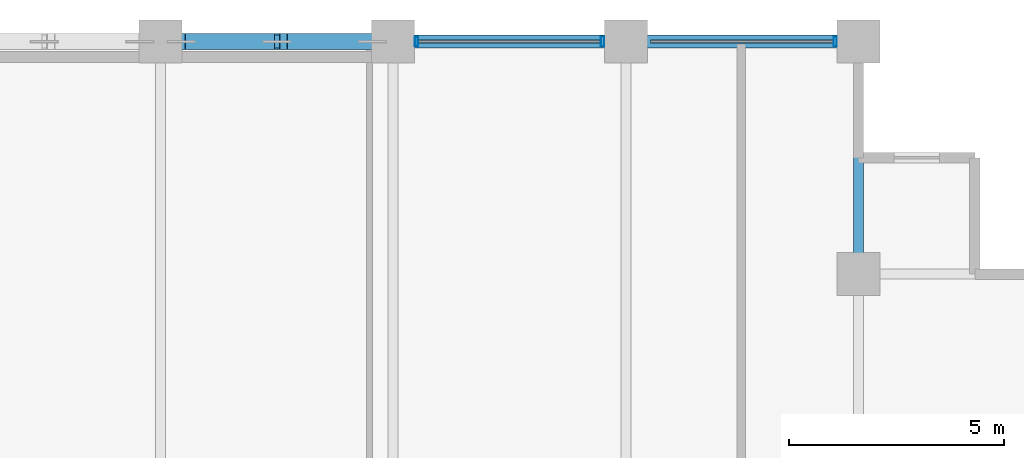
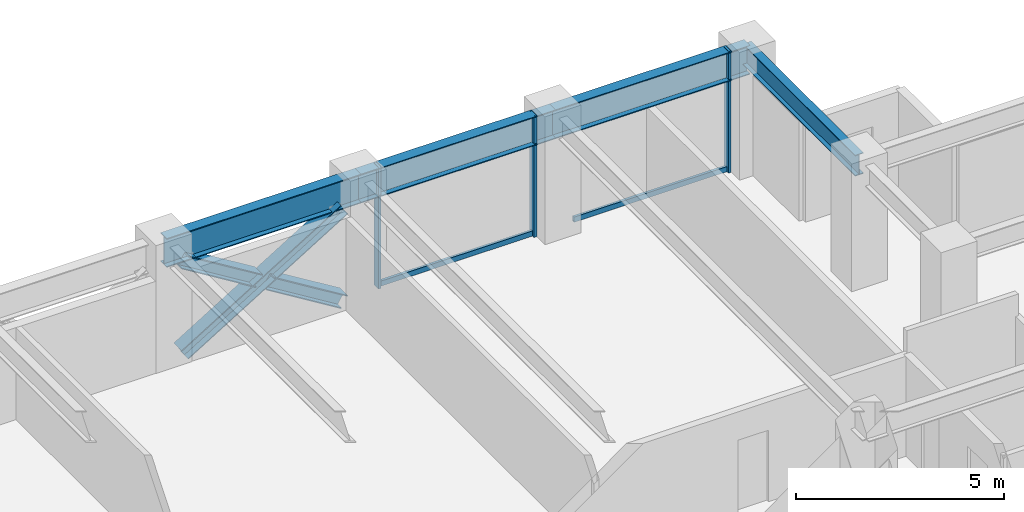
# One storey, part 16 of 23: 8 members, 4 beams, 1 element without a shape of its own.
"""IFC4 building model written with IfcOpenShell, lengths in metres."""

from ifc_helpers import new_model, si_unit, direction, frame, origin, origin_2d, place, context, subcontext, project, spatial, hollow_rectangle, i_section, extrude, material, layer, layer_set, material_profile, profile_set, type_object, element, aggregate, save


model = new_model("IFC4")

# Units and contexts
model_context = context("Model", 3, precision=1e-05, world=origin(), true_north=direction((0.0, 1.0)))
body_context = subcontext(model_context, "Body", "Model", "MODEL_VIEW")
ifc_project = project(units=[si_unit("LENGTHUNIT", "METRE"), si_unit("AREAUNIT", "SQUARE_METRE"), si_unit("VOLUMEUNIT", "CUBIC_METRE"), si_unit("PLANEANGLEUNIT", "RADIAN"), si_unit("MASSUNIT", "GRAM", prefix="KILO")], contexts=[model_context])

# Site, building, storey
site_placement = place(None, origin())
site = spatial("IfcSite", under=ifc_project, at=site_placement, CompositionType="ELEMENT")
building_placement = place(site_placement, origin())
building = spatial("IfcBuilding", under=site, at=building_placement, Name="Surkhivell Harbour Commons", CompositionType="ELEMENT")
storey_placement = place(building_placement, frame((0.0, 0.0, 135.75)))
storey = spatial("IfcBuildingStorey", under=building, at=storey_placement, Name="L35", CompositionType="ELEMENT", Elevation=135.75)

# Beams
ifc_material_1 = material(Name="Steel S355", Category="steel")
ifc_material_profile_1 = material_profile(ifc_material_1, i_section(OverallWidth=0.22998046875, OverallDepth=0.616943359375, WebThickness=0.01318359375, FlangeThickness=0.022216796875, at=origin_2d()), Name="UB610x229x140")
ifc_profile_set_1 = profile_set([ifc_material_profile_1], Name="Steel S355")
beam_type_1 = type_object("IfcBeamType", Name="BM-GRD-610B", PredefinedType="BEAM", material=ifc_profile_set_1)
beam_1_placement = place(storey_placement, frame((16.199951171875, 20.5, 3.261474609375), z_axis=(0.0, 1.0, 0.0), x_axis=(-1.0, 0.0, 0.0)))
element("IfcBeam", 1, at=beam_1_placement, inside=storey, type_object=beam_type_1, Name="L35 Floor Girder (16.2,20.5)", PredefinedType="BEAM", context=body_context, shape_type="SweptSolid", body=[
    extrude(i_section(OverallWidth=0.22998046875, OverallDepth=0.616943359375, WebThickness=0.01318359375, FlangeThickness=0.022216796875, at=origin_2d()), origin(), (0.0, 0.0, 1.0), 5.39990234375),
])
ifc_material_2 = material(Name="Steel S460", Category="steel")
ifc_material_profile_2 = material_profile(ifc_material_2, i_section(OverallWidth=0.2939453125, OverallDepth=0.85107421875, WebThickness=0.01611328125, FlangeThickness=0.02685546875, at=origin_2d()), Name="UB838x292x226")
ifc_profile_set_2 = profile_set([ifc_material_profile_2], Name="Steel S460")
beam_type_2 = type_object("IfcBeamType", Name="BM-SPN-838", PredefinedType="SPANDREL", material=ifc_profile_set_2)
beam_2_placement = place(storey_placement, frame((0.0, 25.89990234375, 3.14453125), z_axis=(1.0, 0.0, 0.0), x_axis=(0.0, 1.0, 0.0)))
element("IfcBeam", 2, at=beam_2_placement, inside=storey, type_object=beam_type_2, Name="L35 Tube Spandrel (-0.0,25.9)", PredefinedType="SPANDREL", context=body_context, shape_type="SweptSolid", body=[
    extrude(i_section(OverallWidth=0.2939453125, OverallDepth=0.85107421875, WebThickness=0.01611328125, FlangeThickness=0.02685546875, at=origin_2d()), origin(), (0.0, 0.0, 1.0), 5.39990234375),
])
beam_3_placement = place(storey_placement, frame((5.39990234375, 25.89990234375, 3.14453125), z_axis=(1.0, 0.0, 0.0), x_axis=(0.0, 1.0, 0.0)))
element("IfcBeam", 3, at=beam_3_placement, inside=storey, type_object=beam_type_2, Name="L35 Tube Spandrel (5.4,25.9)", PredefinedType="SPANDREL", context=body_context, shape_type="SweptSolid", body=[
    extrude(i_section(OverallWidth=0.2939453125, OverallDepth=0.85107421875, WebThickness=0.01611328125, FlangeThickness=0.02685546875, at=origin_2d()), origin(), (0.0, 0.0, 1.0), 5.400146484375),
])
beam_4_placement = place(storey_placement, frame((10.800048828125, 25.89990234375, 3.14453125), z_axis=(1.0, 0.0, 0.0), x_axis=(0.0, 1.0, 0.0)))
element("IfcBeam", 4, at=beam_4_placement, inside=storey, type_object=beam_type_2, Name="L35 Tube Spandrel (10.8,25.9)", PredefinedType="SPANDREL", context=body_context, shape_type="SweptSolid", body=[
    extrude(i_section(OverallWidth=0.2939453125, OverallDepth=0.85107421875, WebThickness=0.01611328125, FlangeThickness=0.02685546875, at=origin_2d()), origin(), (0.0, 0.0, 1.0), 5.39990234375),
])

# Curtain wall, members
ifc_material_3 = material(Name="Anodised pale-metal aluminium and insulated glazing", Category="aluminium")
ifc_layer = layer(ifc_material_3, 0.205078125)
ifc_layer_set = layer_set([ifc_layer], Name="Anodised pale-metal aluminium and insulated glazing")
curtain_wall_type = type_object("IfcCurtainWallType", Name="CW-SYS-Z2", PredefinedType="NOTDEFINED", material=ifc_layer_set)
curtain_wall_placement = place(storey_placement, origin())
curtain_wall = element("IfcCurtainWall", 5, at=curtain_wall_placement, inside=storey, type_object=curtain_wall_type, Name="L35 Curtain Wall CW-L35-E07S1", PredefinedType="NOTDEFINED")
ifc_material_4 = material(Name="Anodised pale-metal aluminium alloy 6063-T6", Category="aluminium")
ifc_material_profile_3 = material_profile(ifc_material_4, hollow_rectangle(XDim=0.074951171875, YDim=0.219970703125, WallThickness=0.00390625, at=origin_2d()), Name="ALU-MULL-75x220")
ifc_profile_set_3 = profile_set([ifc_material_profile_3], Name="Anodised pale-metal aluminium alloy 6063-T6")
member_type_1 = type_object("IfcMemberType", Name="CWM-220", PredefinedType="MULLION", material=ifc_profile_set_3)
member_1_placement = place(storey_placement, frame((15.660400390625, 25.89990234375, 0.0), z_axis=(0.0, 0.0, 1.0), x_axis=(-1.0, 0.0, 0.0)))
member_1 = element("IfcMember", 6, at=member_1_placement, type_object=member_type_1, Name="CW-Z2 mullion 1", PredefinedType="MULLION", context=body_context, shape_type="SweptSolid", body=[
    extrude(hollow_rectangle(XDim=0.074951171875, YDim=0.219970703125, WallThickness=0.00390625, at=origin_2d()), origin(), (0.0, 0.0, 1.0), 3.570068359375),
])
member_2_placement = place(storey_placement, frame((10.260498046875, 25.89990234375, 0.0), z_axis=(0.0, 0.0, 1.0), x_axis=(-1.0, 0.0, 0.0)))
member_2 = element("IfcMember", 7, at=member_2_placement, type_object=member_type_1, Name="CW-Z2 mullion 2", PredefinedType="MULLION", context=body_context, shape_type="SweptSolid", body=[
    extrude(hollow_rectangle(XDim=0.074951171875, YDim=0.219970703125, WallThickness=0.00390625, at=origin_2d()), origin(), (0.0, 0.0, 1.0), 3.570068359375),
])
member_3_placement = place(storey_placement, frame((5.939453125, 25.89990234375, 0.0), z_axis=(0.0, 0.0, 1.0), x_axis=(-1.0, 0.0, 0.0)))
member_3 = element("IfcMember", 8, at=member_3_placement, type_object=member_type_1, Name="CW-Z2 mullion 3", PredefinedType="MULLION", context=body_context, shape_type="SweptSolid", body=[
    extrude(hollow_rectangle(XDim=0.074951171875, YDim=0.219970703125, WallThickness=0.00390625, at=origin_2d()), origin(), (0.0, 0.0, 1.0), 3.570068359375),
])
ifc_material_profile_4 = material_profile(ifc_material_4, hollow_rectangle(XDim=0.074951171875, YDim=0.14990234375, WallThickness=0.00341796875, at=origin_2d()), Name="ALU-TRAN-75x150")
ifc_profile_set_4 = profile_set([ifc_material_profile_4], Name="Anodised pale-metal aluminium alloy 6063-T6")
member_type_2 = type_object("IfcMemberType", Name="CWT-150", PredefinedType="USERDEFINED", material=ifc_profile_set_4)
member_4_placement = place(storey_placement, frame((15.623046875, 25.89990234375, 0.074951171875), z_axis=(-1.0, 0.0, 0.0), x_axis=(0.0, -1.0, 0.0)))
member_4 = element("IfcMember", 9, at=member_4_placement, type_object=member_type_2, Name="CW-Z2 transom 1.1", ObjectType="TRANSOM", PredefinedType="USERDEFINED", context=body_context, shape_type="SweptSolid", body=[
    extrude(hollow_rectangle(XDim=0.074951171875, YDim=0.14990234375, WallThickness=0.00341796875, at=origin_2d()), origin(), (0.0, 0.0, 1.0), 4.24609375),
])
member_5_placement = place(storey_placement, frame((10.222900390625, 25.89990234375, 0.074951171875), z_axis=(-1.0, 0.0, 0.0), x_axis=(0.0, -1.0, 0.0)))
member_5 = element("IfcMember", 10, at=member_5_placement, type_object=member_type_2, Name="CW-Z2 transom 2.1", ObjectType="TRANSOM", PredefinedType="USERDEFINED", context=body_context, shape_type="SweptSolid", body=[
    extrude(hollow_rectangle(XDim=0.074951171875, YDim=0.14990234375, WallThickness=0.00341796875, at=origin_2d()), origin(), (0.0, 0.0, 1.0), 4.245849609375),
])
aggregate(curtain_wall, [member_1, member_4, member_2, member_3, member_5])

# Members
ifc_material_profile_5 = material_profile(ifc_material_2, i_section(OverallWidth=0.375, OverallDepth=0.375, WebThickness=0.0166015625, FlangeThickness=0.027099609375, at=origin_2d()), Name="UC356x368x202")
ifc_profile_set_5 = profile_set([ifc_material_profile_5], Name="Steel S460")
member_type_3 = type_object("IfcMemberType", Name="MEM-BRC-UC356", PredefinedType="BRACE", material=ifc_profile_set_5)
member_6_placement = place(storey_placement, frame((0.485107421875, 25.89990234375, 0.008056640625), z_axis=(0.852624888477, 0.0, 0.522523491864), x_axis=(0.0, 1.0, 0.0)))
element("IfcMember", 11, at=member_6_placement, inside=storey, type_object=member_type_3, Name="L35 Perimeter Mega-Brace MB- 04", PredefinedType="BRACE", context=body_context, shape_type="SweptSolid", body=[
    extrude(i_section(OverallWidth=0.375, OverallDepth=0.375, WebThickness=0.0166015625, FlangeThickness=0.027099609375, at=origin_2d()), origin(), (0.0, 0.0, 1.0), 5.195556640625),
])
member_7_placement = place(storey_placement, frame((4.9150390625, 25.89990234375, 0.008056640625), z_axis=(-0.852617215241, 0.0, 0.52253601242), x_axis=(0.0, -1.0, 0.0)))
element("IfcMember", 12, at=member_7_placement, inside=storey, type_object=member_type_3, Name="L35 Perimeter Mega-Brace MB- 05", PredefinedType="BRACE", context=body_context, shape_type="SweptSolid", body=[
    extrude(i_section(OverallWidth=0.375, OverallDepth=0.375, WebThickness=0.0166015625, FlangeThickness=0.027099609375, at=origin_2d()), origin(), (0.0, 0.0, 1.0), 2.41796875),
])
member_8_placement = place(storey_placement, frame((2.54638671875, 25.89990234375, 1.459716796875), z_axis=(-0.852634632964, 0.0, 0.522507591017), x_axis=(0.0, -1.0, 0.0)))
element("IfcMember", 13, at=member_8_placement, inside=storey, type_object=member_type_3, Name="L35 Perimeter Mega-Brace MB- 06", PredefinedType="BRACE", context=body_context, shape_type="SweptSolid", body=[
    extrude(i_section(OverallWidth=0.375, OverallDepth=0.375, WebThickness=0.0166015625, FlangeThickness=0.027099609375, at=origin_2d()), origin(), (0.0, 0.0, 1.0), 2.41748046875),
])

save(model, "model.ifc")
